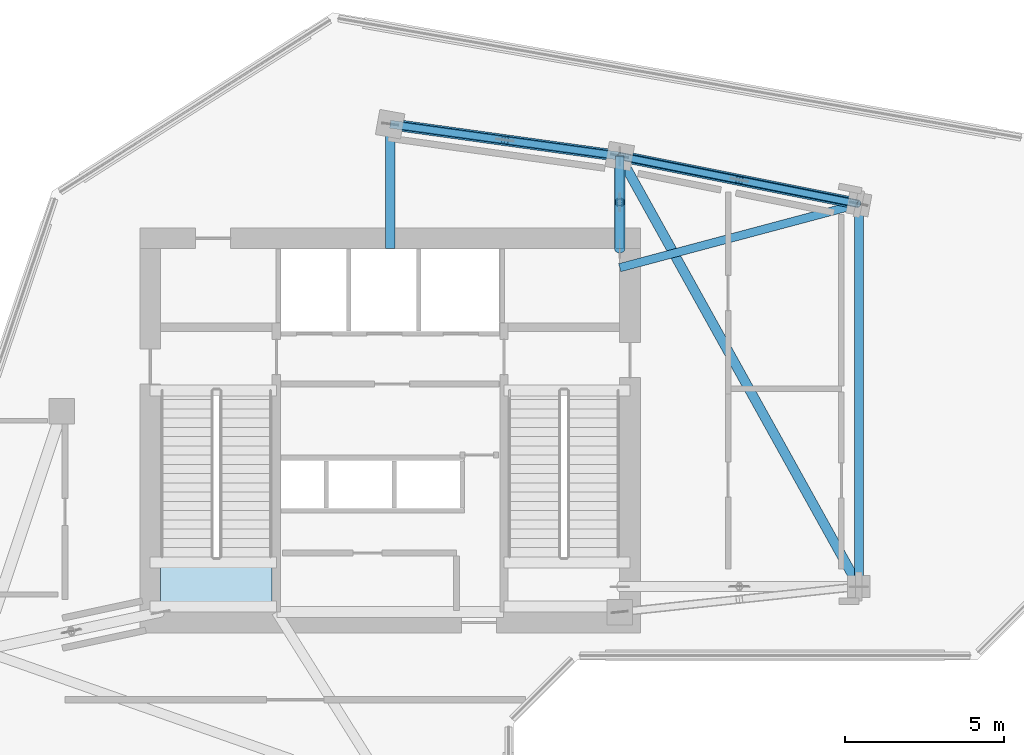
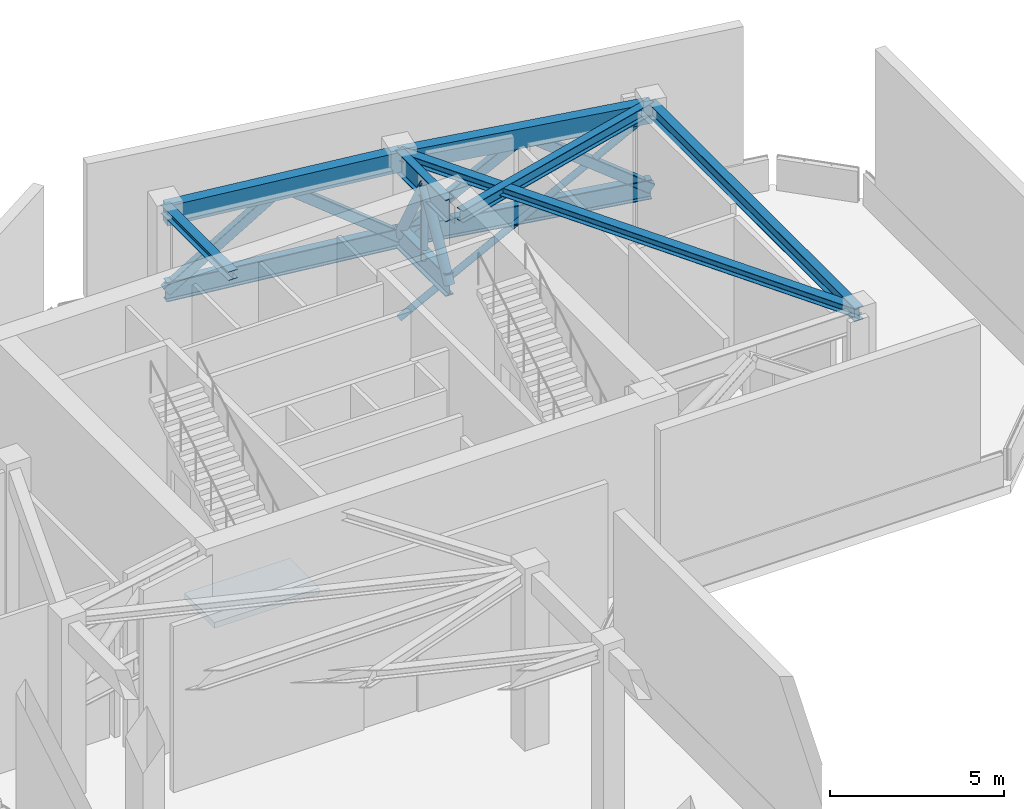
# One storey, part 3 of 10: 10 beams, 8 members, 1 slab, 1 element without a shape of its own.
"""IFC4 building model written with IfcOpenShell, lengths in metres."""

from ifc_helpers import new_model, si_unit, direction, frame, origin, origin_2d, place, context, subcontext, project, spatial, polyline, rectangle, hollow_rectangle, hollow_circle, i_section, outline, extrude, source, transform, mapped, material, layer, layer_set, material_profile, profile_set, type_object, element, aggregate, save


model = new_model("IFC4")

# Units and contexts
model_context = context("Model", 3, precision=1e-05, world=origin(), true_north=direction((0.0, 1.0)))
body_context = subcontext(model_context, "Body", "Model", "MODEL_VIEW")
ifc_project = project(units=[si_unit("LENGTHUNIT", "METRE"), si_unit("AREAUNIT", "SQUARE_METRE"), si_unit("VOLUMEUNIT", "CUBIC_METRE"), si_unit("PLANEANGLEUNIT", "RADIAN"), si_unit("MASSUNIT", "GRAM", prefix="KILO")], contexts=[model_context])

# Site, building, storey
site_placement = place(None, origin())
site = spatial("IfcSite", under=ifc_project, at=site_placement, CompositionType="ELEMENT")
building_placement = place(site_placement, origin())
building = spatial("IfcBuilding", under=site, at=building_placement, Name="Calvemar Wedge Station Tower", CompositionType="ELEMENT")
storey_placement = place(building_placement, frame((0.0, 0.0, 242.89990234375)))
storey = spatial("IfcBuildingStorey", under=building, at=storey_placement, Name="L62", CompositionType="ELEMENT", Elevation=242.89990234375)

# Beams
ifc_material_1 = material(Name="Structural steel ASTM A572 Grade 50", Category="steel")
ifc_material_profile_1 = material_profile(ifc_material_1, i_section(OverallWidth=0.304931640625, OverallDepth=0.30810546875, WebThickness=0.010009765625, FlangeThickness=0.015380859375, FilletRadius=0.014892578125, at=origin_2d()), Name="W310x97")
ifc_profile_set_1 = profile_set([ifc_material_profile_1], Name="Structural steel ASTM A572 Grade 50")
beam_type_1 = type_object("IfcBeamType", Name="BM-J6-W310", PredefinedType="JOIST", material=ifc_profile_set_1)
shared_shape_1 = source(origin(), body_context, "Body", "SweptSolid", [
    extrude(i_section(OverallWidth=0.304931640625, OverallDepth=0.30810546875, WebThickness=0.010009765625, FlangeThickness=0.015380859375, FilletRadius=0.014892578125, at=origin_2d()), origin(), (0.0, 0.0, 1.0), 15.443359375),
])
beam_1_placement = place(storey_placement, frame((31.0, 48.5, 5.99609375), z_axis=(0.485642931179, -0.874157276122, 0.0), x_axis=(0.874157276122, 0.485642931179, 0.0)))
element("IfcBeam", 1, at=beam_1_placement, inside=storey, type_object=beam_type_1, Name="Storey L62 Floor Beam T-N2-T-NL2", PredefinedType="JOIST", context=body_context, shape_type="MappedRepresentation", body=[
    mapped(shared_shape_1, transform((0.0, 0.0, 0.0), scale=1.0)),
])
ifc_material_profile_2 = material_profile(ifc_material_1, i_section(OverallWidth=0.260986328125, OverallDepth=0.419921875, WebThickness=0.01171875, FlangeThickness=0.019287109375, FilletRadius=0.012939453125, at=origin_2d()), Name="W410x114")
ifc_profile_set_2 = profile_set([ifc_material_profile_2], Name="Structural steel ASTM A572 Grade 50")
beam_type_2 = type_object("IfcBeamType", Name="BM-J2-W410H", PredefinedType="JOIST", material=ifc_profile_set_2)
shared_shape_2 = source(origin(), body_context, "Body", "SweptSolid", [
    extrude(i_section(OverallWidth=0.260986328125, OverallDepth=0.419921875, WebThickness=0.01171875, FlangeThickness=0.019287109375, FilletRadius=0.012939453125, at=origin_2d()), origin(), (0.0, 0.0, 1.0), 7.76220703125),
])
beam_2_placement = place(storey_placement, frame((31.0, 45.0, 5.940185546875), z_axis=(0.966234939601, 0.25766265056, 0.0), x_axis=(-0.25766265056, 0.966234939601, 0.0)))
element("IfcBeam", 2, at=beam_2_placement, inside=storey, type_object=beam_type_2, Name="Storey L62 Core-to-Column Joist CJ-E2", PredefinedType="JOIST", context=body_context, shape_type="MappedRepresentation", body=[
    mapped(shared_shape_2, transform((0.0, 0.0, 0.0), scale=1.0)),
])
shared_shape_3 = source(origin(), body_context, "Body", "SweptSolid", [
    extrude(i_section(OverallWidth=0.304931640625, OverallDepth=0.30810546875, WebThickness=0.010009765625, FlangeThickness=0.015380859375, FilletRadius=0.014892578125, at=origin_2d()), origin(), (0.0, 0.0, 1.0), 3.89990234375),
])
beam_3_placement = place(storey_placement, frame((23.800048828125, 45.60009765625, 5.99609375), z_axis=(0.0, 1.0, 0.0), x_axis=(-1.0, 0.0, 0.0)))
element("IfcBeam", 3, at=beam_3_placement, inside=storey, type_object=beam_type_1, Name="Storey L62 Core-to-Column Joist CJ-N1", PredefinedType="JOIST", context=body_context, shape_type="MappedRepresentation", body=[
    mapped(shared_shape_3, transform((0.0, 0.0, 0.0), scale=1.0)),
])
ifc_material_profile_3 = material_profile(ifc_material_1, i_section(OverallWidth=0.27001953125, OverallDepth=0.77294921875, WebThickness=0.018798828125, FlangeThickness=0.0322265625, FilletRadius=0.01806640625, at=origin_2d()), Name="W760x257")
ifc_profile_set_3 = profile_set([ifc_material_profile_3], Name="Structural steel ASTM A572 Grade 50")
beam_type_3 = type_object("IfcBeamType", Name="BM-OT1-W760", PredefinedType="BEAM", material=ifc_profile_set_3)
shared_shape_4 = source(origin(), body_context, "Body", "SweptSolid", [
    extrude(i_section(OverallWidth=0.27001953125, OverallDepth=0.77294921875, WebThickness=0.018798828125, FlangeThickness=0.0322265625, FilletRadius=0.01806640625, at=origin_2d()), origin(), (0.0, 0.0, 1.0), 2.89990234375),
])
for number, where, z_axis, x_axis, name in (
    (4, (31.0, 45.60009765625, 3.13671875), (0.0, 1.0, 0.0), (-1.0, 0.0, 0.0), "L62 Outrigger OT-N Bottom Chord"),
    (5, (31.0, 45.60009765625, 5.763671875), (0.0, 1.0, 0.0), (-1.0, 0.0, 0.0), "L62 Outrigger OT-N Top Chord"),
):
    element("IfcBeam", number, at=place(storey_placement, frame(where, z_axis=z_axis, x_axis=x_axis)), inside=storey, type_object=beam_type_3, Name=name, PredefinedType="BEAM", context=body_context, shape_type="MappedRepresentation", body=[
        mapped(shared_shape_4, transform((0.0, 0.0, 0.0), scale=1.0)),
    ])
ifc_material_profile_4 = material_profile(ifc_material_1, i_section(OverallWidth=0.25390625, OverallDepth=0.68798828125, WebThickness=0.015380859375, FlangeThickness=0.02783203125, FilletRadius=0.014892578125, at=origin_2d()), Name="W690x192")
ifc_profile_set_4 = profile_set([ifc_material_profile_4], Name="Structural steel ASTM A572 Grade 50")
beam_type_4 = type_object("IfcBeamType", Name="BM-BT1-W690", PredefinedType="BEAM", material=ifc_profile_set_4)
shared_shape_5 = source(origin(), body_context, "Body", "SweptSolid", [
    extrude(i_section(OverallWidth=0.25390625, OverallDepth=0.68798828125, WebThickness=0.015380859375, FlangeThickness=0.02783203125, FilletRadius=0.014892578125, at=origin_2d()), origin(), (0.0, 0.0, 1.0), 7.26904296875),
])
beam_4_placement = place(storey_placement, frame((23.800048828125, 49.5, 3.093994140625), z_axis=(0.990492146053, -0.13756928657, 0.0), x_axis=(0.13756928657, 0.990492146053, 0.0)))
element("IfcBeam", 6, at=beam_4_placement, inside=storey, type_object=beam_type_4, Name="L62 Belt Truss Bottom Chord 1", PredefinedType="BEAM", context=body_context, shape_type="MappedRepresentation", body=[
    mapped(shared_shape_5, transform((0.0, 0.0, 0.0), scale=1.0)),
])
shared_shape_6 = source(origin(), body_context, "Body", "SweptSolid", [
    extrude(i_section(OverallWidth=0.25390625, OverallDepth=0.68798828125, WebThickness=0.015380859375, FlangeThickness=0.02783203125, FilletRadius=0.014892578125, at=origin_2d()), origin(), (0.0, 0.0, 1.0), 7.6484375),
])
beam_5_placement = place(storey_placement, frame((31.0, 48.5, 3.093994140625), z_axis=(0.980580675691, -0.196116135138, 0.0), x_axis=(0.196116135138, 0.980580675691, 0.0)))
element("IfcBeam", 7, at=beam_5_placement, inside=storey, type_object=beam_type_4, Name="L62 Belt Truss Bottom Chord 2", PredefinedType="BEAM", context=body_context, shape_type="MappedRepresentation", body=[
    mapped(shared_shape_6, transform((0.0, 0.0, 0.0), scale=1.0)),
])
ifc_material_2 = material(Name="Concrete C50", Category="concrete")
ifc_material_profile_5 = material_profile(ifc_material_2, rectangle(XDim=0.35009765625, YDim=0.699951171875, at=origin_2d()), Name="RC350x700")
ifc_profile_set_5 = profile_set([ifc_material_profile_5], Name="Concrete C50")
beam_type_5 = type_object("IfcBeamType", Name="BM-SP2-700", PredefinedType="SPANDREL", material=ifc_profile_set_5)
shared_shape_7 = source(origin(), body_context, "Body", "SweptSolid", [
    extrude(rectangle(XDim=0.35009765625, YDim=0.699951171875, at=origin_2d()), origin(), (0.0, 0.0, 1.0), 7.26904296875),
])
beam_6_placement = place(storey_placement, frame((23.800048828125, 49.5, 5.800048828125), z_axis=(0.990492146053, -0.13756928657, 0.0), x_axis=(0.13756928657, 0.990492146053, 0.0)))
element("IfcBeam", 8, at=beam_6_placement, inside=storey, type_object=beam_type_5, Name="Storey L62 Spandrel T-N1-T-N2", PredefinedType="SPANDREL", context=body_context, shape_type="MappedRepresentation", body=[
    mapped(shared_shape_7, transform((0.0, 0.0, 0.0), scale=1.0)),
])
shared_shape_8 = source(origin(), body_context, "Body", "SweptSolid", [
    extrude(rectangle(XDim=0.35009765625, YDim=0.699951171875, at=origin_2d()), origin(), (0.0, 0.0, 1.0), 7.6484375),
])
beam_7_placement = place(storey_placement, frame((31.0, 48.5, 5.800048828125), z_axis=(0.980580675691, -0.196116135138, 0.0), x_axis=(0.196116135138, 0.980580675691, 0.0)))
element("IfcBeam", 9, at=beam_7_placement, inside=storey, type_object=beam_type_5, Name="Storey L62 Spandrel T-N2-T-NU3", PredefinedType="SPANDREL", context=body_context, shape_type="MappedRepresentation", body=[
    mapped(shared_shape_8, transform((0.0, 0.0, 0.0), scale=1.0)),
])
ifc_material_profile_6 = material_profile(ifc_material_1, i_section(OverallWidth=0.283935546875, OverallDepth=0.47607421875, WebThickness=0.014892578125, FlangeThickness=0.02392578125, FilletRadius=0.014892578125, at=origin_2d()), Name="W460x158")
ifc_profile_set_6 = profile_set([ifc_material_profile_6], Name="Structural steel ASTM A572 Grade 50")
beam_type_6 = type_object("IfcBeamType", Name="BM-SB5-W460H", PredefinedType="BEAM", material=ifc_profile_set_6)
shared_shape_9 = source(origin(), body_context, "Body", "SweptSolid", [
    extrude(i_section(OverallWidth=0.283935546875, OverallDepth=0.47607421875, WebThickness=0.014892578125, FlangeThickness=0.02392578125, FilletRadius=0.014892578125, at=origin_2d()), origin(), (0.0, 0.0, 1.0), 12.0),
])
beam_8_placement = place(storey_placement, frame((38.5, 47.0, 5.912109375), z_axis=(0.0, -1.0, 0.0), x_axis=(1.0, 0.0, 0.0)))
element("IfcBeam", 10, at=beam_8_placement, inside=storey, type_object=beam_type_6, Name="Storey L62 Floor Beam T-NU3-T-NL2", PredefinedType="BEAM", context=body_context, shape_type="MappedRepresentation", body=[
    mapped(shared_shape_9, transform((0.0, 0.0, 0.0), scale=1.0)),
])

# Members
ifc_material_profile_7 = material_profile(ifc_material_1, hollow_circle(Radius=0.109619140625, WallThickness=0.012451171875, at=origin_2d()), Name="CHS219.1x12.5")
ifc_profile_set_7 = profile_set([ifc_material_profile_7], Name="Structural steel ASTM A572 Grade 50")
member_type_1 = type_object("IfcMemberType", Name="MEM-ST3-CHS219", PredefinedType="STRUT", material=ifc_profile_set_7)
shared_shape_10 = source(origin(), body_context, "Body", "SweptSolid", [
    extrude(hollow_circle(Radius=0.109619140625, WallThickness=0.012451171875, at=origin_2d()), origin(), (0.0, 0.0, 1.0), 9.435302734375),
])
member_1_placement = place(storey_placement, frame((31.0, 48.5, 0.2001953125), z_axis=(0.7948888037, -0.15897776074, 0.585557735277), x_axis=(0.196116135138, 0.980580675691, 0.0)))
element("IfcMember", 11, at=member_1_placement, inside=storey, type_object=member_type_1, Name="L62 Setback Diagonal Transfer Strut T-N2-T-NU3", PredefinedType="STRUT", context=body_context, shape_type="MappedRepresentation", body=[
    mapped(shared_shape_10, transform((0.0, 0.0, 0.0), scale=1.0)),
])
shared_shape_11 = source(origin(), body_context, "Body", "SweptSolid", [
    extrude(hollow_circle(Radius=0.109619140625, WallThickness=0.012451171875, at=origin_2d()), origin(), (0.0, 0.0, 1.0), 2.626953125),
])
member_2_placement = place(storey_placement, frame((31.0, 47.050048828125, 3.13671875), z_axis=(0.0, 0.0, 1.0), x_axis=(1.0, 0.0, 0.0)))
element("IfcMember", 12, at=member_2_placement, inside=storey, type_object=member_type_1, Name="L62 Outrigger OT-N Strut", PredefinedType="STRUT", context=body_context, shape_type="MappedRepresentation", body=[
    mapped(shared_shape_11, transform((0.0, 0.0, 0.0), scale=1.0)),
])
ifc_material_profile_8 = material_profile(ifc_material_1, hollow_circle(Radius=0.161865234375, WallThickness=0.01611328125, at=origin_2d()), Name="CHS323.9x16")
ifc_profile_set_8 = profile_set([ifc_material_profile_8], Name="Structural steel ASTM A572 Grade 50")
member_type_2 = type_object("IfcMemberType", Name="MEM-D5-CHS323", PredefinedType="BRACE", material=ifc_profile_set_8)
shared_shape_12 = source(origin(), body_context, "Body", "SweptSolid", [
    extrude(hollow_circle(Radius=0.161865234375, WallThickness=0.01611328125, at=origin_2d()), origin(), (0.0, 0.0, 1.0), 3.00048828125),
])
for number, where, z_axis, x_axis, name in (
    (13, (31.0, 45.60009765625, 3.13671875), (0.0, 0.483230053599, 0.875493412481), (-1.0, 0.0, 0.0), "L62 Outrigger OT-N Diagonal 1"),
    (14, (31.0, 47.050048828125, 5.763671875), (0.0, 0.483230053599, -0.875493412481), (-1.0, 0.0, 0.0), "L62 Outrigger OT-N Diagonal 2"),
):
    element("IfcMember", number, at=place(storey_placement, frame(where, z_axis=z_axis, x_axis=x_axis)), inside=storey, type_object=member_type_2, Name=name, PredefinedType="BRACE", context=body_context, shape_type="MappedRepresentation", body=[
        mapped(shared_shape_12, transform((0.0, 0.0, 0.0), scale=1.0)),
    ])
ifc_material_profile_9 = material_profile(ifc_material_1, hollow_rectangle(XDim=0.25, YDim=0.35009765625, WallThickness=0.01611328125, InnerFilletRadius=0.01611328125, OuterFilletRadius=0.031982421875, at=origin_2d()), Name="HSS350x250x16")
ifc_profile_set_9 = profile_set([ifc_material_profile_9], Name="Structural steel ASTM A572 Grade 50")
member_type_3 = type_object("IfcMemberType", Name="MEM-D7-HSS350", PredefinedType="BRACE", material=ifc_profile_set_9)
shared_shape_13 = source(origin(), body_context, "Body", "SweptSolid", [
    extrude(hollow_rectangle(XDim=0.25, YDim=0.35009765625, WallThickness=0.01611328125, InnerFilletRadius=0.01611328125, OuterFilletRadius=0.031982421875, at=origin_2d()), origin(), (0.0, 0.0, 1.0), 4.534912109375),
])
for number, where, z_axis, x_axis, name in (
    (15, (23.800048828125, 49.5, 3.093994140625), (0.793822014427, -0.11025754395, 0.598071804562), (0.137573863227, 0.990491510391, 0.0), "L62 Belt Truss Chevron 1A"),
    (16, (27.39990234375, 49.0, 5.80615234375), (0.793841924469, -0.110252832043, -0.598046245689), (0.137564710214, 0.990492781651, 0.0), "L62 Belt Truss Chevron 1B"),
):
    element("IfcMember", number, at=place(storey_placement, frame(where, z_axis=z_axis, x_axis=x_axis)), inside=storey, type_object=member_type_3, Name=name, PredefinedType="BRACE", context=body_context, shape_type="MappedRepresentation", body=[
        mapped(shared_shape_13, transform((0.0, 0.0, 0.0), scale=1.0)),
    ])
shared_shape_14 = source(origin(), body_context, "Body", "SweptSolid", [
    extrude(hollow_rectangle(XDim=0.25, YDim=0.35009765625, WallThickness=0.01611328125, InnerFilletRadius=0.01611328125, OuterFilletRadius=0.031982421875, at=origin_2d()), origin(), (0.0, 0.0, 1.0), 4.6884765625),
])
for number, where, z_axis, x_axis, name in (
    (17, (31.0, 48.5, 3.093994140625), (0.799851750203, -0.159970350041, 0.578486529493), (0.196116135138, 0.980580675691, 0.0), "L62 Belt Truss Chevron 2A"),
    (18, (34.75, 47.75, 5.80615234375), (0.799851750203, -0.159970350041, -0.578486529493), (0.196116135138, 0.980580675691, 0.0), "L62 Belt Truss Chevron 2B"),
):
    element("IfcMember", number, at=place(storey_placement, frame(where, z_axis=z_axis, x_axis=x_axis)), inside=storey, type_object=member_type_3, Name=name, PredefinedType="BRACE", context=body_context, shape_type="MappedRepresentation", body=[
        mapped(shared_shape_14, transform((0.0, 0.0, 0.0), scale=1.0)),
    ])

# Stair, slab
ifc_material_3 = material(Name="Concrete C45", Category="concrete")
stair_type = type_object("IfcStairType", Name="ST-TYPE-6400", PredefinedType="HALF_TURN_STAIR", material=ifc_material_3)
stair_placement = place(storey_placement, origin())
stair = element("IfcStair", 19, at=stair_placement, inside=storey, type_object=stair_type, Name="L62 Pressurized Core Exit Stair ST-C1", PredefinedType="HALF_TURN_STAIR")
ifc_layer = layer(ifc_material_3, 0.199951171875)
ifc_layer_set = layer_set([ifc_layer], Name="Concrete C45")
slab_type = type_object("IfcSlabType", Name="SL-STAIR-LND-200", PredefinedType="LANDING", material=ifc_layer_set)
slab_placement = place(storey_placement, frame((0.0, 0.0, 3.0)))
slab = element("IfcSlab", 20, at=slab_placement, type_object=slab_type, Name="ST-C1 landing 1", PredefinedType="LANDING", context=body_context, shape_type="SweptSolid", body=[
    extrude(outline(polyline([(16.60009765625, 35.929931640625), (16.60009765625, 34.199951171875), (20.10009765625, 34.199951171875), (20.10009765625, 35.929931640625), (16.60009765625, 35.929931640625)])), origin(), (0.0, 0.0, 1.0), 0.2001953125),
])
aggregate(stair, [slab])

save(model, "model.ifc")
